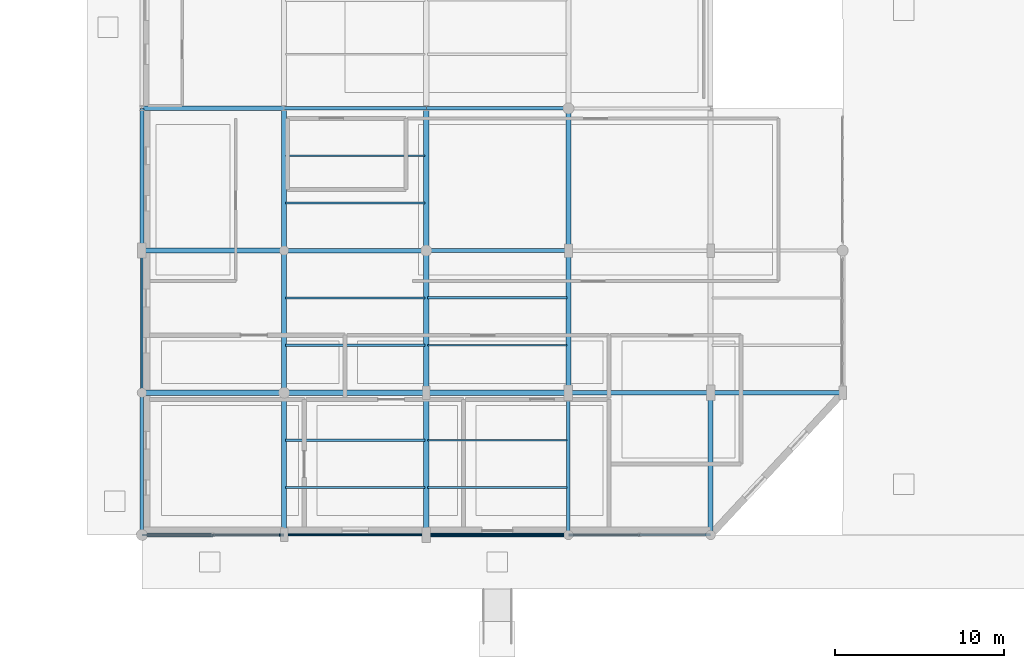
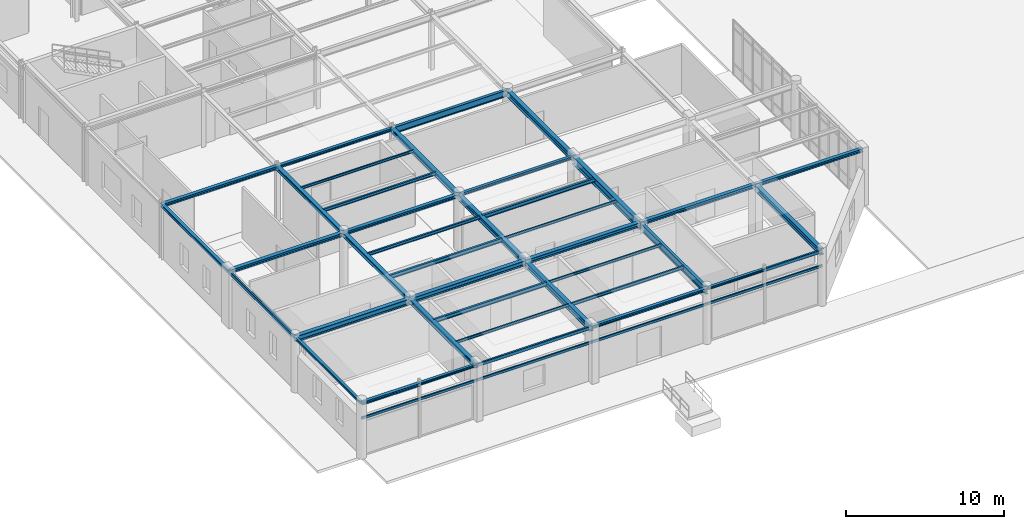
# One storey, part 23 of 101: 44 beams.
"""IFC4 building model written with IfcOpenShell, lengths in metres."""

from ifc_helpers import new_model, si_unit, derived_unit, direction, frame, origin, origin_2d, place, context, subcontext, project, spatial, hollow_rectangle, i_section, extrude, material, material_profile, profile_set, type_object, element, save


model = new_model("IFC4")

# Units and contexts
model_context = context("Model", 3, precision=1e-05, world=origin(), true_north=direction((0.0, 1.0)))
body_context = subcontext(model_context, "Body", "Model", "MODEL_VIEW")
ifc_project = project(units=[si_unit("LENGTHUNIT", "METRE"), si_unit("AREAUNIT", "SQUARE_METRE"), si_unit("VOLUMEUNIT", "CUBIC_METRE"), si_unit("PLANEANGLEUNIT", "RADIAN"), si_unit("MASSUNIT", "GRAM", prefix="KILO"), derived_unit("THERMALTRANSMITTANCEUNIT", [(si_unit("POWERUNIT", "WATT"), 1), (si_unit("AREAUNIT", "SQUARE_METRE"), -1), (si_unit("THERMODYNAMICTEMPERATUREUNIT", "KELVIN"), -1)])], contexts=[model_context])

# Site, building, storey
site_placement = place(None, origin())
site = spatial("IfcSite", under=ifc_project, at=site_placement, CompositionType="ELEMENT")
building_placement = place(site_placement, origin())
building = spatial("IfcBuilding", under=site, at=building_placement, Name="Yasenodar Specialist Clinic", CompositionType="ELEMENT")
storey_placement = place(building_placement, origin())
storey = spatial("IfcBuildingStorey", under=building, at=storey_placement, Name="L00", CompositionType="ELEMENT", Elevation=0.0)

# Beams
ifc_material = material(Name="Steel S355", Category="steel")
ifc_material_profile_1 = material_profile(ifc_material, i_section(OverallWidth=0.219970703125, OverallDepth=0.2099609375, WebThickness=0.007080078125, FlangeThickness=0.010986328125, FilletRadius=0.01806640625, at=origin_2d()), Name="HEA 220")
ifc_profile_set_1 = profile_set([ifc_material_profile_1], Name="Steel S355")
beam_type_1 = type_object("IfcBeamType", Name="BM-HEA220", PredefinedType="BEAM", material=ifc_profile_set_1)
beam_1_placement = place(storey_placement, frame((16.800048828125, 16.800048828125, 4.1298828125), z_axis=(1.0, 0.0, 0.0), x_axis=(0.0, 1.0, 0.0)))
element("IfcBeam", 1, at=beam_1_placement, inside=storey, type_object=beam_type_1, Name="L00 Primary E-W Girder", PredefinedType="BEAM", context=body_context, shape_type="SweptSolid", body=[
    extrude(i_section(OverallWidth=0.219970703125, OverallDepth=0.2099609375, WebThickness=0.007080078125, FlangeThickness=0.010986328125, FilletRadius=0.01806640625, at=origin_2d()), origin(), (0.0, 0.0, 1.0), 8.39990234375),
])
beam_2_placement = place(storey_placement, frame((8.39990234375, 25.199951171875, 4.1298828125), z_axis=(1.0, 0.0, 0.0), x_axis=(0.0, 1.0, 0.0)))
element("IfcBeam", 2, at=beam_2_placement, inside=storey, type_object=beam_type_1, Name="L00 Primary E-W Girder", PredefinedType="BEAM", context=body_context, shape_type="SweptSolid", body=[
    extrude(i_section(OverallWidth=0.219970703125, OverallDepth=0.2099609375, WebThickness=0.007080078125, FlangeThickness=0.010986328125, FilletRadius=0.01806640625, at=origin_2d()), origin(), (0.0, 0.0, 1.0), 8.400146484375),
])
ifc_material_profile_2 = material_profile(ifc_material, i_section(OverallWidth=0.260009765625, OverallDepth=0.25, WebThickness=0.007568359375, FlangeThickness=0.012451171875, FilletRadius=0.02392578125, at=origin_2d()), Name="HEA 260")
ifc_profile_set_2 = profile_set([ifc_material_profile_2], Name="Steel S355")
beam_type_2 = type_object("IfcBeamType", Name="BM-HEA260", PredefinedType="BEAM", material=ifc_profile_set_2)
beam_3_placement = place(storey_placement, frame((33.60009765625, 8.39990234375, 4.110107421875), z_axis=(1.0, 0.0, 0.0), x_axis=(0.0, 1.0, 0.0)))
element("IfcBeam", 3, at=beam_3_placement, inside=storey, type_object=beam_type_2, Name="L00 Primary E-W Girder", PredefinedType="BEAM", context=body_context, shape_type="SweptSolid", body=[
    extrude(i_section(OverallWidth=0.260009765625, OverallDepth=0.25, WebThickness=0.007568359375, FlangeThickness=0.012451171875, FilletRadius=0.02392578125, at=origin_2d()), origin(), (0.0, 0.0, 1.0), 7.7998046875),
])
beam_4_placement = place(storey_placement, frame((8.39990234375, 16.800048828125, 4.110107421875), z_axis=(1.0, 0.0, 0.0), x_axis=(0.0, 1.0, 0.0)))
element("IfcBeam", 4, at=beam_4_placement, inside=storey, type_object=beam_type_2, Name="L00 Primary E-W Girder", PredefinedType="BEAM", context=body_context, shape_type="SweptSolid", body=[
    extrude(i_section(OverallWidth=0.260009765625, OverallDepth=0.25, WebThickness=0.007568359375, FlangeThickness=0.012451171875, FilletRadius=0.02392578125, at=origin_2d()), origin(), (0.0, 0.0, 1.0), 8.400146484375),
])
beam_5_placement = place(storey_placement, frame((0.0, 25.199951171875, 4.125), z_axis=(1.0, 0.0, 0.0), x_axis=(0.0, 1.0, 0.0)))
element("IfcBeam", 5, at=beam_5_placement, inside=storey, type_object=beam_type_2, Name="L00 Primary E-W Girder", PredefinedType="BEAM", context=body_context, shape_type="SweptSolid", body=[
    extrude(i_section(OverallWidth=0.260009765625, OverallDepth=0.25, WebThickness=0.007568359375, FlangeThickness=0.012451171875, FilletRadius=0.02392578125, at=origin_2d()), origin(), (0.0, 0.0, 1.0), 8.39990234375),
])
ifc_material_profile_3 = material_profile(ifc_material, i_section(OverallWidth=0.280029296875, OverallDepth=0.27001953125, WebThickness=0.008056640625, FlangeThickness=0.012939453125, FilletRadius=0.02392578125, at=origin_2d()), Name="HEA 280")
ifc_profile_set_3 = profile_set([ifc_material_profile_3], Name="Steel S355")
beam_type_3 = type_object("IfcBeamType", Name="BM-HEA280", PredefinedType="BEAM", material=ifc_profile_set_3)
beam_6_placement = place(storey_placement, frame((25.199951171875, 8.39990234375, 4.10009765625), z_axis=(1.0, 0.0, 0.0), x_axis=(0.0, 1.0, 0.0)))
element("IfcBeam", 6, at=beam_6_placement, inside=storey, type_object=beam_type_3, Name="L00 Primary E-W Girder", PredefinedType="BEAM", context=body_context, shape_type="SweptSolid", body=[
    extrude(i_section(OverallWidth=0.280029296875, OverallDepth=0.27001953125, WebThickness=0.008056640625, FlangeThickness=0.012939453125, FilletRadius=0.02392578125, at=origin_2d()), origin(), (0.0, 0.0, 1.0), 8.400146484375),
])
beam_7_placement = place(storey_placement, frame((0.0, 16.800048828125, 4.10009765625), z_axis=(1.0, 0.0, 0.0), x_axis=(0.0, 1.0, 0.0)))
element("IfcBeam", 7, at=beam_7_placement, inside=storey, type_object=beam_type_3, Name="L00 Primary E-W Girder", PredefinedType="BEAM", context=body_context, shape_type="SweptSolid", body=[
    extrude(i_section(OverallWidth=0.280029296875, OverallDepth=0.27001953125, WebThickness=0.008056640625, FlangeThickness=0.012939453125, FilletRadius=0.02392578125, at=origin_2d()), origin(), (0.0, 0.0, 1.0), 8.39990234375),
])
ifc_material_profile_4 = material_profile(ifc_material, i_section(OverallWidth=0.300048828125, OverallDepth=0.330078125, WebThickness=0.009521484375, FlangeThickness=0.0166015625, FilletRadius=0.027099609375, at=origin_2d()), Name="HEA 340")
ifc_profile_set_4 = profile_set([ifc_material_profile_4], Name="Steel S355")
beam_type_4 = type_object("IfcBeamType", Name="BM-HEA340", PredefinedType="BEAM", material=ifc_profile_set_4)
beam_8_placement = place(storey_placement, frame((16.800048828125, 8.39990234375, 4.070068359375), z_axis=(1.0, 0.0, 0.0), x_axis=(0.0, 1.0, 0.0)))
element("IfcBeam", 8, at=beam_8_placement, inside=storey, type_object=beam_type_4, Name="L00 Primary E-W Girder", PredefinedType="BEAM", context=body_context, shape_type="SweptSolid", body=[
    extrude(i_section(OverallWidth=0.300048828125, OverallDepth=0.330078125, WebThickness=0.009521484375, FlangeThickness=0.0166015625, FilletRadius=0.027099609375, at=origin_2d()), origin(), (0.0, 0.0, 1.0), 8.39990234375),
])
ifc_material_profile_5 = material_profile(ifc_material, i_section(OverallWidth=0.300048828125, OverallDepth=0.389892578125, WebThickness=0.010986328125, FlangeThickness=0.01904296875, FilletRadius=0.027099609375, at=origin_2d()), Name="HEA 400")
ifc_profile_set_5 = profile_set([ifc_material_profile_5], Name="Steel S355")
beam_type_5 = type_object("IfcBeamType", Name="BM-HEA400", PredefinedType="BEAM", material=ifc_profile_set_5)
beam_9_placement = place(storey_placement, frame((8.39990234375, 8.39990234375, 4.0400390625), z_axis=(1.0, 0.0, 0.0), x_axis=(0.0, 1.0, 0.0)))
element("IfcBeam", 9, at=beam_9_placement, inside=storey, type_object=beam_type_5, Name="L00 Primary E-W Girder", PredefinedType="BEAM", context=body_context, shape_type="SweptSolid", body=[
    extrude(i_section(OverallWidth=0.300048828125, OverallDepth=0.389892578125, WebThickness=0.010986328125, FlangeThickness=0.01904296875, FilletRadius=0.027099609375, at=origin_2d()), origin(), (0.0, 0.0, 1.0), 8.400146484375),
])
ifc_material_profile_6 = material_profile(ifc_material, i_section(OverallWidth=0.300048828125, OverallDepth=0.43994140625, WebThickness=0.011474609375, FlangeThickness=0.02099609375, FilletRadius=0.027099609375, at=origin_2d()), Name="HEA 450")
ifc_profile_set_6 = profile_set([ifc_material_profile_6], Name="Steel S355")
beam_type_6 = type_object("IfcBeamType", Name="BM-HEA450", PredefinedType="BEAM", material=ifc_profile_set_6)
beam_10_placement = place(storey_placement, frame((0.0, 8.39990234375, 4.014892578125), z_axis=(1.0, 0.0, 0.0), x_axis=(0.0, 1.0, 0.0)))
element("IfcBeam", 10, at=beam_10_placement, inside=storey, type_object=beam_type_6, Name="L00 Primary E-W Girder", PredefinedType="BEAM", context=body_context, shape_type="SweptSolid", body=[
    extrude(i_section(OverallWidth=0.300048828125, OverallDepth=0.43994140625, WebThickness=0.011474609375, FlangeThickness=0.02099609375, FilletRadius=0.027099609375, at=origin_2d()), origin(), (0.0, 0.0, 1.0), 8.39990234375),
])
ifc_material_profile_7 = material_profile(ifc_material, i_section(OverallWidth=0.280029296875, OverallDepth=0.280029296875, WebThickness=0.010498046875, FlangeThickness=0.01806640625, FilletRadius=0.02392578125, at=origin_2d()), Name="HEB 280")
ifc_profile_set_7 = profile_set([ifc_material_profile_7], Name="Steel S355")
beam_type_7 = type_object("IfcBeamType", Name="BM-HEB280", PredefinedType="BEAM", material=ifc_profile_set_7)
beam_11_placement = place(storey_placement, frame((8.39990234375, 16.800048828125, 4.094970703125), z_axis=(0.0, 1.0, 0.0), x_axis=(-1.0, 0.0, 0.0)))
element("IfcBeam", 11, at=beam_11_placement, inside=storey, type_object=beam_type_7, Name="L00 Primary N-S Girder", PredefinedType="BEAM", context=body_context, shape_type="SweptSolid", body=[
    extrude(i_section(OverallWidth=0.280029296875, OverallDepth=0.280029296875, WebThickness=0.010498046875, FlangeThickness=0.01806640625, FilletRadius=0.02392578125, at=origin_2d()), origin(), (0.0, 0.0, 1.0), 8.39990234375),
])
ifc_material_profile_8 = material_profile(ifc_material, i_section(OverallWidth=0.300048828125, OverallDepth=0.300048828125, WebThickness=0.010986328125, FlangeThickness=0.01904296875, FilletRadius=0.027099609375, at=origin_2d()), Name="HEB 300")
ifc_profile_set_8 = profile_set([ifc_material_profile_8], Name="Steel S355")
beam_type_8 = type_object("IfcBeamType", Name="BM-HEB300", PredefinedType="BEAM", material=ifc_profile_set_8)
beam_12_placement = place(storey_placement, frame((8.39990234375, 8.39990234375, 4.0849609375), z_axis=(0.0, 1.0, 0.0), x_axis=(-1.0, 0.0, 0.0)))
element("IfcBeam", 12, at=beam_12_placement, inside=storey, type_object=beam_type_8, Name="L00 Primary N-S Girder", PredefinedType="BEAM", context=body_context, shape_type="SweptSolid", body=[
    extrude(i_section(OverallWidth=0.300048828125, OverallDepth=0.300048828125, WebThickness=0.010986328125, FlangeThickness=0.01904296875, FilletRadius=0.027099609375, at=origin_2d()), origin(), (0.0, 0.0, 1.0), 8.400146484375),
])
ifc_material_profile_9 = material_profile(ifc_material, i_section(OverallWidth=0.300048828125, OverallDepth=0.340087890625, WebThickness=0.011962890625, FlangeThickness=0.021484375, FilletRadius=0.027099609375, at=origin_2d()), Name="HEB 340")
ifc_profile_set_9 = profile_set([ifc_material_profile_9], Name="Steel S355")
beam_type_9 = type_object("IfcBeamType", Name="BM-HEB340", PredefinedType="BEAM", material=ifc_profile_set_9)
for number, where, z_axis, x_axis, name in (
    (13, (8.39990234375, 0.0, 4.06494140625), (0.0, 1.0, 0.0), (-1.0, 0.0, 0.0), "L00 Primary N-S Girder"),
    (14, (16.800048828125, 16.800048828125, 4.06494140625), (0.0, 1.0, 0.0), (-1.0, 0.0, 0.0), "L00 Primary N-S Girder"),
):
    element("IfcBeam", number, at=place(storey_placement, frame(where, z_axis=z_axis, x_axis=x_axis)), inside=storey, type_object=beam_type_9, Name=name, PredefinedType="BEAM", context=body_context, shape_type="SweptSolid", body=[
        extrude(i_section(OverallWidth=0.300048828125, OverallDepth=0.340087890625, WebThickness=0.011962890625, FlangeThickness=0.021484375, FilletRadius=0.027099609375, at=origin_2d()), origin(), (0.0, 0.0, 1.0), 8.39990234375),
    ])
ifc_material_profile_10 = material_profile(ifc_material, i_section(OverallWidth=0.300048828125, OverallDepth=0.39990234375, WebThickness=0.013427734375, FlangeThickness=0.02392578125, FilletRadius=0.027099609375, at=origin_2d()), Name="HEB 400")
ifc_profile_set_10 = profile_set([ifc_material_profile_10], Name="Steel S355")
beam_type_10 = type_object("IfcBeamType", Name="BM-HEB400", PredefinedType="BEAM", material=ifc_profile_set_10)
beam_13_placement = place(storey_placement, frame((16.800048828125, 8.39990234375, 4.034912109375), z_axis=(0.0, 1.0, 0.0), x_axis=(-1.0, 0.0, 0.0)))
element("IfcBeam", 15, at=beam_13_placement, inside=storey, type_object=beam_type_10, Name="L00 Primary N-S Girder", PredefinedType="BEAM", context=body_context, shape_type="SweptSolid", body=[
    extrude(i_section(OverallWidth=0.300048828125, OverallDepth=0.39990234375, WebThickness=0.013427734375, FlangeThickness=0.02392578125, FilletRadius=0.027099609375, at=origin_2d()), origin(), (0.0, 0.0, 1.0), 8.400146484375),
])
ifc_material_profile_11 = material_profile(ifc_material, i_section(OverallWidth=0.300048828125, OverallDepth=0.449951171875, WebThickness=0.013916015625, FlangeThickness=0.02587890625, FilletRadius=0.027099609375, at=origin_2d()), Name="HEB 450")
ifc_profile_set_11 = profile_set([ifc_material_profile_11], Name="Steel S355")
beam_type_11 = type_object("IfcBeamType", Name="BM-HEB450", PredefinedType="BEAM", material=ifc_profile_set_11)
for number, where, z_axis, x_axis, name in (
    (16, (16.800048828125, 0.0, 4.010009765625), (0.0, 1.0, 0.0), (-1.0, 0.0, 0.0), "L00 Primary N-S Girder"),
    (17, (25.199951171875, 16.800048828125, 4.010009765625), (0.0, 1.0, 0.0), (-1.0, 0.0, 0.0), "L00 Primary N-S Girder"),
    (18, (33.60009765625, 0.0, 4.010009765625), (0.0, 1.0, 0.0), (-1.0, 0.0, 0.0), "L00 Primary N-S Girder"),
):
    element("IfcBeam", number, at=place(storey_placement, frame(where, z_axis=z_axis, x_axis=x_axis)), inside=storey, type_object=beam_type_11, Name=name, PredefinedType="BEAM", context=body_context, shape_type="SweptSolid", body=[
        extrude(i_section(OverallWidth=0.300048828125, OverallDepth=0.449951171875, WebThickness=0.013916015625, FlangeThickness=0.02587890625, FilletRadius=0.027099609375, at=origin_2d()), origin(), (0.0, 0.0, 1.0), 8.39990234375),
    ])
ifc_material_profile_12 = material_profile(ifc_material, i_section(OverallWidth=0.300048828125, OverallDepth=0.60009765625, WebThickness=0.015380859375, FlangeThickness=0.030029296875, FilletRadius=0.027099609375, at=origin_2d()), Name="HEB 600")
ifc_profile_set_12 = profile_set([ifc_material_profile_12], Name="Steel S355")
beam_type_12 = type_object("IfcBeamType", Name="BM-HEB600", PredefinedType="BEAM", material=ifc_profile_set_12)
beam_14_placement = place(storey_placement, frame((25.199951171875, 8.39990234375, 3.93505859375), z_axis=(0.0, 1.0, 0.0), x_axis=(-1.0, 0.0, 0.0)))
element("IfcBeam", 19, at=beam_14_placement, inside=storey, type_object=beam_type_12, Name="L00 Primary N-S Girder", PredefinedType="BEAM", context=body_context, shape_type="SweptSolid", body=[
    extrude(i_section(OverallWidth=0.300048828125, OverallDepth=0.60009765625, WebThickness=0.015380859375, FlangeThickness=0.030029296875, FilletRadius=0.027099609375, at=origin_2d()), origin(), (0.0, 0.0, 1.0), 8.400146484375),
])
ifc_material_profile_13 = material_profile(ifc_material, i_section(OverallWidth=0.199951171875, OverallDepth=0.5, WebThickness=0.01025390625, FlangeThickness=0.01611328125, FilletRadius=0.02099609375, at=origin_2d()), Name="IPE 500")
ifc_profile_set_13 = profile_set([ifc_material_profile_13], Name="Steel S355")
beam_type_13 = type_object("IfcBeamType", Name="BM-IPE500", PredefinedType="BEAM", material=ifc_profile_set_13)
beam_15_placement = place(storey_placement, frame((16.800048828125, 25.199951171875, 4.0), z_axis=(1.0, 0.0, 0.0), x_axis=(0.0, 1.0, 0.0)))
element("IfcBeam", 20, at=beam_15_placement, inside=storey, type_object=beam_type_13, Name="L00 Primary E-W Girder", PredefinedType="BEAM", context=body_context, shape_type="SweptSolid", body=[
    extrude(i_section(OverallWidth=0.199951171875, OverallDepth=0.5, WebThickness=0.01025390625, FlangeThickness=0.01611328125, FilletRadius=0.02099609375, at=origin_2d()), origin(), (0.0, 0.0, 1.0), 8.39990234375),
])
ifc_material_profile_14 = material_profile(ifc_material, i_section(OverallWidth=0.2099609375, OverallDepth=0.550048828125, WebThickness=0.010986328125, FlangeThickness=0.01708984375, FilletRadius=0.02392578125, at=origin_2d()), Name="IPE 550")
ifc_profile_set_14 = profile_set([ifc_material_profile_14], Name="Steel S355")
beam_type_14 = type_object("IfcBeamType", Name="BM-IPE550", PredefinedType="BEAM", material=ifc_profile_set_14)
beam_16_placement = place(storey_placement, frame((25.199951171875, 0.0, 3.9599609375), z_axis=(0.0, 1.0, 0.0), x_axis=(-1.0, 0.0, 0.0)))
element("IfcBeam", 21, at=beam_16_placement, inside=storey, type_object=beam_type_14, Name="L00 Primary N-S Girder", PredefinedType="BEAM", context=body_context, shape_type="SweptSolid", body=[
    extrude(i_section(OverallWidth=0.2099609375, OverallDepth=0.550048828125, WebThickness=0.010986328125, FlangeThickness=0.01708984375, FilletRadius=0.02392578125, at=origin_2d()), origin(), (0.0, 0.0, 1.0), 8.39990234375),
])
ifc_material_profile_15 = material_profile(ifc_material, i_section(OverallWidth=0.10009765625, OverallDepth=0.199951171875, WebThickness=0.005615234375, FlangeThickness=0.008544921875, FilletRadius=0.011962890625, at=origin_2d()), Name="IPE 200")
ifc_profile_set_15 = profile_set([ifc_material_profile_15], Name="Steel S355")
beam_type_15 = type_object("IfcBeamType", Name="JS-IPE200", PredefinedType="JOIST", material=ifc_profile_set_15)
for number, where, z_axis, x_axis, name in (
    (22, (8.47998046875, 2.800048828125, 4.135009765625), (1.0, 0.0, 0.0), (0.0, 1.0, 0.0), "L00 Composite Floor Joist"),
    (23, (8.47998046875, 22.39990234375, 4.135009765625), (1.0, 0.0, 0.0), (0.0, 1.0, 0.0), "L00 Composite Floor Joist"),
):
    element("IfcBeam", number, at=place(storey_placement, frame(where, z_axis=z_axis, x_axis=x_axis)), inside=storey, type_object=beam_type_15, Name=name, PredefinedType="JOIST", context=body_context, shape_type="SweptSolid", body=[
        extrude(i_section(OverallWidth=0.10009765625, OverallDepth=0.199951171875, WebThickness=0.005615234375, FlangeThickness=0.008544921875, FilletRadius=0.011962890625, at=origin_2d()), origin(), (0.0, 0.0, 1.0), 8.239990234375),
    ])
for number, where, z_axis, x_axis, name in (
    (24, (16.8798828125, 5.60009765625, 4.135009765625), (1.0, 0.0, 0.0), (0.0, 1.0, 0.0), "L00 Composite Floor Joist"),
    (25, (16.8798828125, 11.199951171875, 4.135009765625), (1.0, 0.0, 0.0), (0.0, 1.0, 0.0), "L00 Composite Floor Joist"),
):
    element("IfcBeam", number, at=place(storey_placement, frame(where, z_axis=z_axis, x_axis=x_axis)), inside=storey, type_object=beam_type_15, Name=name, PredefinedType="JOIST", context=body_context, shape_type="SweptSolid", body=[
        extrude(i_section(OverallWidth=0.10009765625, OverallDepth=0.199951171875, WebThickness=0.005615234375, FlangeThickness=0.008544921875, FilletRadius=0.011962890625, at=origin_2d()), origin(), (0.0, 0.0, 1.0), 8.240234375),
    ])
ifc_material_profile_16 = material_profile(ifc_material, i_section(OverallWidth=0.1201171875, OverallDepth=0.239990234375, WebThickness=0.006103515625, FlangeThickness=0.009765625, FilletRadius=0.014892578125, at=origin_2d()), Name="IPE 240")
ifc_profile_set_16 = profile_set([ifc_material_profile_16], Name="Steel S355")
beam_type_16 = type_object("IfcBeamType", Name="JS-IPE240", PredefinedType="JOIST", material=ifc_profile_set_16)
for number, where, z_axis, x_axis, name in (
    (26, (8.47998046875, 14.0, 4.114990234375), (1.0, 0.0, 0.0), (0.0, 1.0, 0.0), "L00 Composite Floor Joist"),
    (27, (8.47998046875, 19.60009765625, 4.114990234375), (1.0, 0.0, 0.0), (0.0, 1.0, 0.0), "L00 Composite Floor Joist"),
):
    element("IfcBeam", number, at=place(storey_placement, frame(where, z_axis=z_axis, x_axis=x_axis)), inside=storey, type_object=beam_type_16, Name=name, PredefinedType="JOIST", context=body_context, shape_type="SweptSolid", body=[
        extrude(i_section(OverallWidth=0.1201171875, OverallDepth=0.239990234375, WebThickness=0.006103515625, FlangeThickness=0.009765625, FilletRadius=0.014892578125, at=origin_2d()), origin(), (0.0, 0.0, 1.0), 8.239990234375),
    ])
beam_17_placement = place(storey_placement, frame((16.8798828125, 2.800048828125, 4.114990234375), z_axis=(1.0, 0.0, 0.0), x_axis=(0.0, 1.0, 0.0)))
element("IfcBeam", 28, at=beam_17_placement, inside=storey, type_object=beam_type_16, Name="L00 Composite Floor Joist", PredefinedType="JOIST", context=body_context, shape_type="SweptSolid", body=[
    extrude(i_section(OverallWidth=0.1201171875, OverallDepth=0.239990234375, WebThickness=0.006103515625, FlangeThickness=0.009765625, FilletRadius=0.014892578125, at=origin_2d()), origin(), (0.0, 0.0, 1.0), 8.240234375),
])
ifc_material_profile_17 = material_profile(ifc_material, i_section(OverallWidth=0.14990234375, OverallDepth=0.300048828125, WebThickness=0.007080078125, FlangeThickness=0.0107421875, FilletRadius=0.014892578125, at=origin_2d()), Name="IPE 300")
ifc_profile_set_17 = profile_set([ifc_material_profile_17], Name="Steel S355")
beam_type_17 = type_object("IfcBeamType", Name="JS-IPE300", PredefinedType="JOIST", material=ifc_profile_set_17)
for number, where, z_axis, x_axis, name in (
    (29, (8.47998046875, 5.60009765625, 4.0849609375), (1.0, 0.0, 0.0), (0.0, 1.0, 0.0), "L00 Composite Floor Joist"),
    (30, (8.47998046875, 11.199951171875, 4.0849609375), (1.0, 0.0, 0.0), (0.0, 1.0, 0.0), "L00 Composite Floor Joist"),
):
    element("IfcBeam", number, at=place(storey_placement, frame(where, z_axis=z_axis, x_axis=x_axis)), inside=storey, type_object=beam_type_17, Name=name, PredefinedType="JOIST", context=body_context, shape_type="SweptSolid", body=[
        extrude(i_section(OverallWidth=0.14990234375, OverallDepth=0.300048828125, WebThickness=0.007080078125, FlangeThickness=0.0107421875, FilletRadius=0.014892578125, at=origin_2d()), origin(), (0.0, 0.0, 1.0), 8.239990234375),
    ])
beam_18_placement = place(storey_placement, frame((16.8798828125, 14.0, 4.0849609375), z_axis=(1.0, 0.0, 0.0), x_axis=(0.0, 1.0, 0.0)))
element("IfcBeam", 31, at=beam_18_placement, inside=storey, type_object=beam_type_17, Name="L00 Composite Floor Joist", PredefinedType="JOIST", context=body_context, shape_type="SweptSolid", body=[
    extrude(i_section(OverallWidth=0.14990234375, OverallDepth=0.300048828125, WebThickness=0.007080078125, FlangeThickness=0.0107421875, FilletRadius=0.014892578125, at=origin_2d()), origin(), (0.0, 0.0, 1.0), 8.240234375),
])
ifc_material_profile_18 = material_profile(ifc_material, hollow_rectangle(XDim=0.10009765625, YDim=0.199951171875, WallThickness=0.008056640625, InnerFilletRadius=0.011962890625, OuterFilletRadius=0.02001953125, at=origin_2d()), Name="RHS 200x100x8")
ifc_profile_set_18 = profile_set([ifc_material_profile_18], Name="Steel S355")
beam_type_18 = type_object("IfcBeamType", Name="LN-RHS200", PredefinedType="LINTEL", material=ifc_profile_set_18)
beam_19_placement = place(storey_placement, frame((0.0, 0.0, 2.949951171875), z_axis=(1.0, 0.0, 0.0), x_axis=(0.0, 1.0, 0.0)))
element("IfcBeam", 32, at=beam_19_placement, inside=storey, type_object=beam_type_18, Name="L00 Structural Opening Lintel", PredefinedType="LINTEL", context=body_context, shape_type="SweptSolid", body=[
    extrude(hollow_rectangle(XDim=0.10009765625, YDim=0.199951171875, WallThickness=0.008056640625, InnerFilletRadius=0.011962890625, OuterFilletRadius=0.02001953125, at=origin_2d()), origin(), (0.0, 0.0, 1.0), 8.39990234375),
])
beam_20_placement = place(storey_placement, frame((8.39990234375, 0.0, 2.949951171875), z_axis=(1.0, 0.0, 0.0), x_axis=(0.0, 1.0, 0.0)))
element("IfcBeam", 33, at=beam_20_placement, inside=storey, type_object=beam_type_18, Name="L00 Structural Opening Lintel", PredefinedType="LINTEL", context=body_context, shape_type="SweptSolid", body=[
    extrude(hollow_rectangle(XDim=0.10009765625, YDim=0.199951171875, WallThickness=0.008056640625, InnerFilletRadius=0.011962890625, OuterFilletRadius=0.02001953125, at=origin_2d()), origin(), (0.0, 0.0, 1.0), 8.400146484375),
])
beam_21_placement = place(storey_placement, frame((16.800048828125, 0.0, 2.949951171875), z_axis=(1.0, 0.0, 0.0), x_axis=(0.0, 1.0, 0.0)))
element("IfcBeam", 34, at=beam_21_placement, inside=storey, type_object=beam_type_18, Name="L00 Structural Opening Lintel", PredefinedType="LINTEL", context=body_context, shape_type="SweptSolid", body=[
    extrude(hollow_rectangle(XDim=0.10009765625, YDim=0.199951171875, WallThickness=0.008056640625, InnerFilletRadius=0.011962890625, OuterFilletRadius=0.02001953125, at=origin_2d()), origin(), (0.0, 0.0, 1.0), 8.39990234375),
])
beam_22_placement = place(storey_placement, frame((25.199951171875, 0.0, 2.949951171875), z_axis=(1.0, 0.0, 0.0), x_axis=(0.0, 1.0, 0.0)))
element("IfcBeam", 35, at=beam_22_placement, inside=storey, type_object=beam_type_18, Name="L00 Structural Opening Lintel", PredefinedType="LINTEL", context=body_context, shape_type="SweptSolid", body=[
    extrude(hollow_rectangle(XDim=0.10009765625, YDim=0.199951171875, WallThickness=0.008056640625, InnerFilletRadius=0.011962890625, OuterFilletRadius=0.02001953125, at=origin_2d()), origin(), (0.0, 0.0, 1.0), 8.400146484375),
])
ifc_material_profile_19 = material_profile(ifc_material, i_section(OverallWidth=0.199951171875, OverallDepth=0.18994140625, WebThickness=0.006591796875, FlangeThickness=0.010009765625, FilletRadius=0.01806640625, at=origin_2d()), Name="HEA 200")
ifc_profile_set_19 = profile_set([ifc_material_profile_19], Name="Steel S355")
beam_type_19 = type_object("IfcBeamType", Name="SP-HEA200", PredefinedType="SPANDREL", material=ifc_profile_set_19)
for number, where, z_axis, x_axis, name in (
    (36, (4.199951171875, 0.0, 4.139892578125), (1.0, 0.0, 0.0), (0.0, 1.0, 0.0), "L00 Perimeter Spandrel Beam"),
    (37, (25.199951171875, 0.0, 4.139892578125), (1.0, 0.0, 0.0), (0.0, 1.0, 0.0), "L00 Perimeter Spandrel Beam"),
):
    element("IfcBeam", number, at=place(storey_placement, frame(where, z_axis=z_axis, x_axis=x_axis)), inside=storey, type_object=beam_type_19, Name=name, PredefinedType="SPANDREL", context=body_context, shape_type="SweptSolid", body=[
        extrude(i_section(OverallWidth=0.199951171875, OverallDepth=0.18994140625, WebThickness=0.006591796875, FlangeThickness=0.010009765625, FilletRadius=0.01806640625, at=origin_2d()), origin(), (0.0, 0.0, 1.0), 4.199951171875),
    ])
beam_23_placement = place(storey_placement, frame((0.0, 0.0, 4.139892578125), z_axis=(0.0, 1.0, 0.0), x_axis=(-1.0, 0.0, 0.0)))
element("IfcBeam", 38, at=beam_23_placement, inside=storey, type_object=beam_type_19, Name="L00 Perimeter Spandrel Beam", PredefinedType="SPANDREL", context=body_context, shape_type="SweptSolid", body=[
    extrude(i_section(OverallWidth=0.199951171875, OverallDepth=0.18994140625, WebThickness=0.006591796875, FlangeThickness=0.010009765625, FilletRadius=0.01806640625, at=origin_2d()), origin(), (0.0, 0.0, 1.0), 8.39990234375),
])
ifc_material_profile_20 = material_profile(ifc_material, i_section(OverallWidth=0.239990234375, OverallDepth=0.22998046875, WebThickness=0.007568359375, FlangeThickness=0.011962890625, FilletRadius=0.02099609375, at=origin_2d()), Name="HEA 240")
ifc_profile_set_20 = profile_set([ifc_material_profile_20], Name="Steel S355")
beam_type_20 = type_object("IfcBeamType", Name="SP-HEA240", PredefinedType="SPANDREL", material=ifc_profile_set_20)
beam_24_placement = place(storey_placement, frame((0.0, 0.0, 4.1201171875), z_axis=(1.0, 0.0, 0.0), x_axis=(0.0, 1.0, 0.0)))
element("IfcBeam", 39, at=beam_24_placement, inside=storey, type_object=beam_type_20, Name="L00 Perimeter Spandrel Beam", PredefinedType="SPANDREL", context=body_context, shape_type="SweptSolid", body=[
    extrude(i_section(OverallWidth=0.239990234375, OverallDepth=0.22998046875, WebThickness=0.007568359375, FlangeThickness=0.011962890625, FilletRadius=0.02099609375, at=origin_2d()), origin(), (0.0, 0.0, 1.0), 4.199951171875),
])
for number, where, z_axis, x_axis, name in (
    (40, (16.800048828125, 0.0, 4.1201171875), (1.0, 0.0, 0.0), (0.0, 1.0, 0.0), "L00 Perimeter Spandrel Beam"),
    (41, (0.0, 16.800048828125, 4.135009765625), (0.0, 1.0, 0.0), (-1.0, 0.0, 0.0), "L00 Perimeter Spandrel Beam"),
):
    element("IfcBeam", number, at=place(storey_placement, frame(where, z_axis=z_axis, x_axis=x_axis)), inside=storey, type_object=beam_type_20, Name=name, PredefinedType="SPANDREL", context=body_context, shape_type="SweptSolid", body=[
        extrude(i_section(OverallWidth=0.239990234375, OverallDepth=0.22998046875, WebThickness=0.007568359375, FlangeThickness=0.011962890625, FilletRadius=0.02099609375, at=origin_2d()), origin(), (0.0, 0.0, 1.0), 8.39990234375),
    ])
ifc_material_profile_21 = material_profile(ifc_material, hollow_rectangle(XDim=0.14990234375, YDim=0.25, WallThickness=0.010009765625, InnerFilletRadius=0.014892578125, OuterFilletRadius=0.02490234375, at=origin_2d()), Name="RHS 250x150x10")
ifc_profile_set_21 = profile_set([ifc_material_profile_21], Name="Steel S355")
beam_type_21 = type_object("IfcBeamType", Name="SP-RHS250", PredefinedType="SPANDREL", material=ifc_profile_set_21)
beam_25_placement = place(storey_placement, frame((8.39990234375, 0.0, 4.110107421875), z_axis=(1.0, 0.0, 0.0), x_axis=(0.0, 1.0, 0.0)))
element("IfcBeam", 42, at=beam_25_placement, inside=storey, type_object=beam_type_21, Name="L00 Perimeter Spandrel Beam", PredefinedType="SPANDREL", context=body_context, shape_type="SweptSolid", body=[
    extrude(hollow_rectangle(XDim=0.14990234375, YDim=0.25, WallThickness=0.010009765625, InnerFilletRadius=0.014892578125, OuterFilletRadius=0.02490234375, at=origin_2d()), origin(), (0.0, 0.0, 1.0), 8.400146484375),
])
beam_26_placement = place(storey_placement, frame((29.39990234375, 0.0, 4.110107421875), z_axis=(1.0, 0.0, 0.0), x_axis=(0.0, 1.0, 0.0)))
element("IfcBeam", 43, at=beam_26_placement, inside=storey, type_object=beam_type_21, Name="L00 Perimeter Spandrel Beam", PredefinedType="SPANDREL", context=body_context, shape_type="SweptSolid", body=[
    extrude(hollow_rectangle(XDim=0.14990234375, YDim=0.25, WallThickness=0.010009765625, InnerFilletRadius=0.014892578125, OuterFilletRadius=0.02490234375, at=origin_2d()), origin(), (0.0, 0.0, 1.0), 4.2001953125),
])
beam_27_placement = place(storey_placement, frame((0.0, 8.39990234375, 4.110107421875), z_axis=(0.0, 1.0, 0.0), x_axis=(-1.0, 0.0, 0.0)))
element("IfcBeam", 44, at=beam_27_placement, inside=storey, type_object=beam_type_21, Name="L00 Perimeter Spandrel Beam", PredefinedType="SPANDREL", context=body_context, shape_type="SweptSolid", body=[
    extrude(hollow_rectangle(XDim=0.14990234375, YDim=0.25, WallThickness=0.010009765625, InnerFilletRadius=0.014892578125, OuterFilletRadius=0.02490234375, at=origin_2d()), origin(), (0.0, 0.0, 1.0), 8.400146484375),
])

save(model, "model.ifc")
